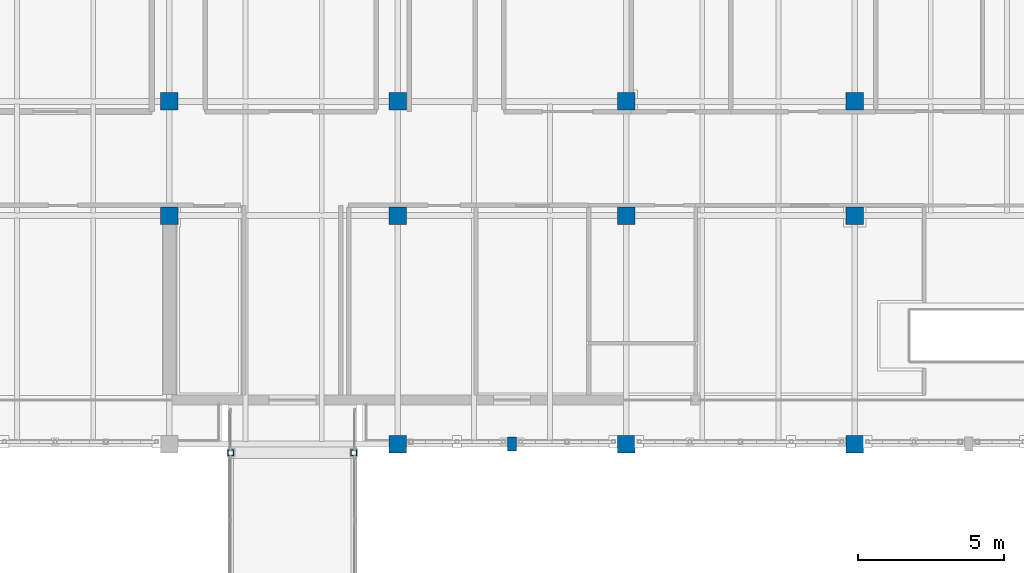
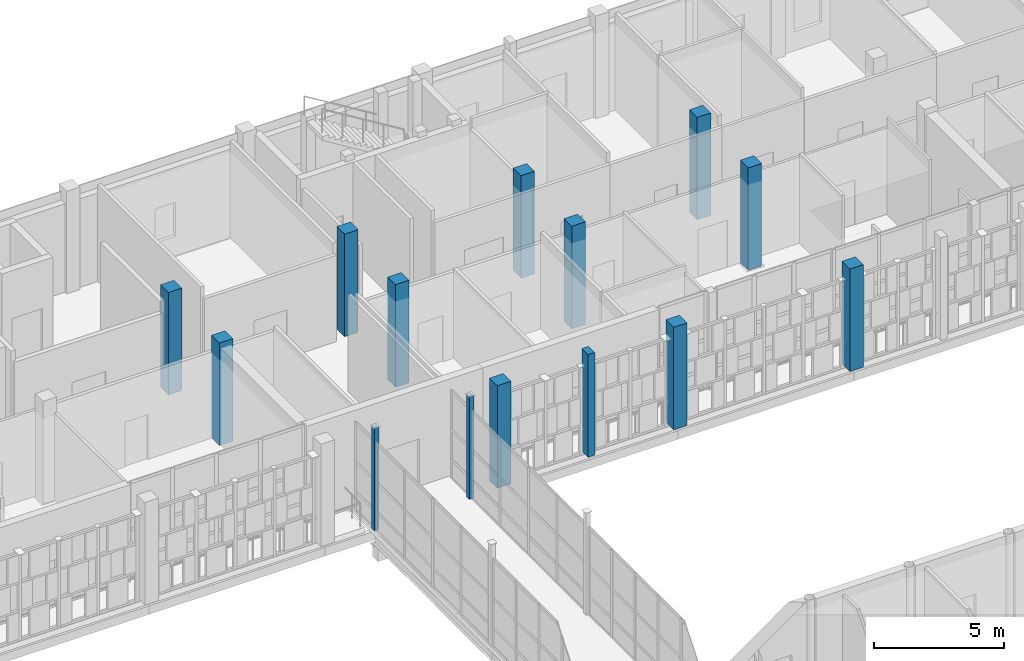
# One storey, part 13 of 138: 14 columns.
"""IFC4 building model written with IfcOpenShell, lengths in metres."""

from ifc_helpers import new_model, si_unit, direction, frame, origin, origin_2d, place, context, subcontext, project, spatial, rectangle, hollow_rectangle, extrude, material, material_profile, profile_set, type_object, element, save


model = new_model("IFC4")

# Units and contexts
model_context = context("Model", 3, precision=1e-05, world=origin(), true_north=direction((0.0, 1.0)))
body_context = subcontext(model_context, "Body", "Model", "MODEL_VIEW")
ifc_project = project(units=[si_unit("LENGTHUNIT", "METRE"), si_unit("AREAUNIT", "SQUARE_METRE"), si_unit("VOLUMEUNIT", "CUBIC_METRE"), si_unit("PLANEANGLEUNIT", "RADIAN"), si_unit("MASSUNIT", "GRAM", prefix="KILO")], contexts=[model_context])

# Site, building, storey
site_placement = place(None, origin())
site = spatial("IfcSite", under=ifc_project, at=site_placement, CompositionType="ELEMENT")
building_placement = place(site_placement, origin())
building = spatial("IfcBuilding", under=site, at=building_placement, Name="Celorna Specialist Clinic", CompositionType="ELEMENT")
storey_placement = place(building_placement, frame((0.0, 0.0, 4.800048828125)))
storey = spatial("IfcBuildingStorey", under=building, at=storey_placement, Name="L01", CompositionType="ELEMENT", Elevation=4.800048828125)

# Columns
ifc_material_1 = material(Name="Concrete C40/50", Category="concrete")
ifc_material_profile_1 = material_profile(ifc_material_1, rectangle(XDim=0.60009765625, YDim=0.60009765625, at=origin_2d()), Name="RC 600x600")
ifc_profile_set_1 = profile_set([ifc_material_profile_1], Name="Concrete C40/50")
column_type_1 = type_object("IfcColumnType", Name="CT-04", PredefinedType="COLUMN", material=ifc_profile_set_1)
for number, where, z_axis, x_axis, name in (
    (1, (70.199951171875, 104.300048828125, 0.0), (0.0, 0.0, 1.0), (1.0, 0.0, 0.0), "Column CT-04 L01 X10/YS"),
    (2, (70.199951171875, 108.199951171875, 0.0), (0.0, 0.0, 1.0), (1.0, 0.0, 0.0), "Column CT-04 L01 X10/YT"),
    (3, (78.0, 96.5, 0.0), (0.0, 0.0, 1.0), (1.0, 0.0, 0.0), "Column CT-04 L01 X11/YR"),
    (4, (78.0, 104.300048828125, 0.0), (0.0, 0.0, 1.0), (1.0, 0.0, 0.0), "Column CT-04 L01 X11/YS"),
    (5, (78.0, 108.199951171875, 0.0), (0.0, 0.0, 1.0), (1.0, 0.0, 0.0), "Column CT-04 L01 X11/YT"),
    (6, (85.800048828125, 96.5, 0.0), (0.0, 0.0, 1.0), (1.0, 0.0, 0.0), "Column CT-04 L01 X12/YR"),
    (7, (85.800048828125, 104.300048828125, 0.0), (0.0, 0.0, 1.0), (1.0, 0.0, 0.0), "Column CT-04 L01 X12/YS"),
    (8, (85.800048828125, 108.199951171875, 0.0), (0.0, 0.0, 1.0), (1.0, 0.0, 0.0), "Column CT-04 L01 X12/YT"),
    (9, (93.60009765625, 96.5, 0.0), (0.0, 0.0, 1.0), (1.0, 0.0, 0.0), "Column CT-04 L01 X13/YR"),
    (10, (93.60009765625, 104.300048828125, 0.0), (0.0, 0.0, 1.0), (1.0, 0.0, 0.0), "Column CT-04 L01 X13/YS"),
    (11, (93.60009765625, 108.199951171875, 0.0), (0.0, 0.0, 1.0), (1.0, 0.0, 0.0), "Column CT-04 L01 X13/YT"),
):
    element("IfcColumn", number, at=place(storey_placement, frame(where, z_axis=z_axis, x_axis=x_axis)), inside=storey, type_object=column_type_1, Name=name, PredefinedType="COLUMN", context=body_context, shape_type="SweptSolid", body=[
        extrude(rectangle(XDim=0.60009765625, YDim=0.60009765625, at=origin_2d()), origin(), (0.0, 0.0, 1.0), 4.800048828125),
    ])
ifc_material_2 = material(Name="Steel S355", Category="steel")
ifc_material_profile_2 = material_profile(ifc_material_2, hollow_rectangle(XDim=0.199951171875, YDim=0.199951171875, WallThickness=0.010009765625, at=origin_2d()), Name="SHS 200x200x10")
ifc_profile_set_2 = profile_set([ifc_material_profile_2], Name="Steel S355")
column_type_2 = type_object("IfcColumnType", Name="CT-15", PredefinedType="COLUMN", material=ifc_profile_set_2)
for number, where, z_axis, x_axis, name in (
    (12, (72.300048828125, 96.199951171875, 0.0), (0.0, 0.0, 1.0), (1.0, 0.0, 0.0), "Column CT-15 L01 X10/YR"),
    (13, (76.5, 96.199951171875, 0.0), (0.0, 0.0, 1.0), (1.0, 0.0, 0.0), "Column CT-15 L01 X11/YR"),
):
    element("IfcColumn", number, at=place(storey_placement, frame(where, z_axis=z_axis, x_axis=x_axis)), inside=storey, type_object=column_type_2, Name=name, PredefinedType="COLUMN", context=body_context, shape_type="SweptSolid", body=[
        extrude(hollow_rectangle(XDim=0.199951171875, YDim=0.199951171875, WallThickness=0.010009765625, at=origin_2d()), origin(), (0.0, 0.0, 1.0), 4.800048828125),
    ])
ifc_material_3 = material(Name="Precast concrete C40/50", Category="concrete")
ifc_material_profile_3 = material_profile(ifc_material_3, rectangle(XDim=0.300048828125, YDim=0.47998046875, at=origin_2d()), Name="PILASTER 300x480")
ifc_profile_set_3 = profile_set([ifc_material_profile_3], Name="Precast concrete C40/50")
column_type_3 = type_object("IfcColumnType", Name="CT-17", PredefinedType="PILASTER", material=ifc_profile_set_3)
column_placement = place(storey_placement, frame((81.89990234375, 96.5, 0.0), z_axis=(0.0, 0.0, 1.0), x_axis=(1.0, 0.0, 0.0)))
element("IfcColumn", 14, at=column_placement, inside=storey, type_object=column_type_3, Name="Court veranda pilaster CT-17 L01 X12/YR", PredefinedType="PILASTER", context=body_context, shape_type="SweptSolid", body=[
    extrude(rectangle(XDim=0.300048828125, YDim=0.47998046875, at=origin_2d()), origin(), (0.0, 0.0, 1.0), 4.800048828125),
])

save(model, "model.ifc")
